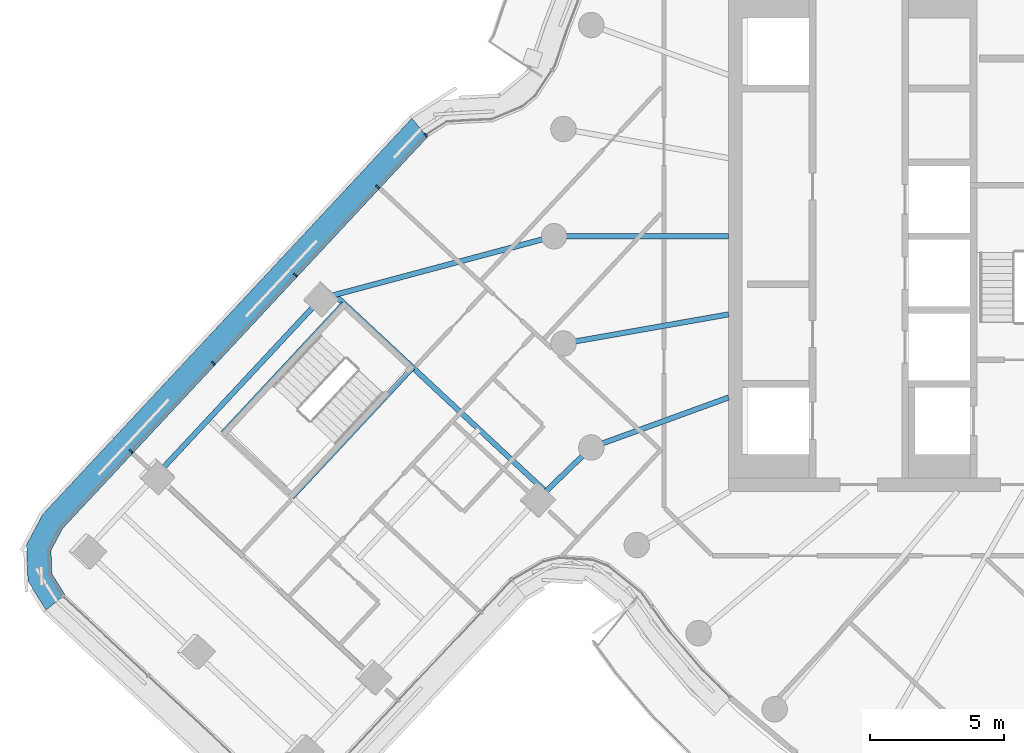
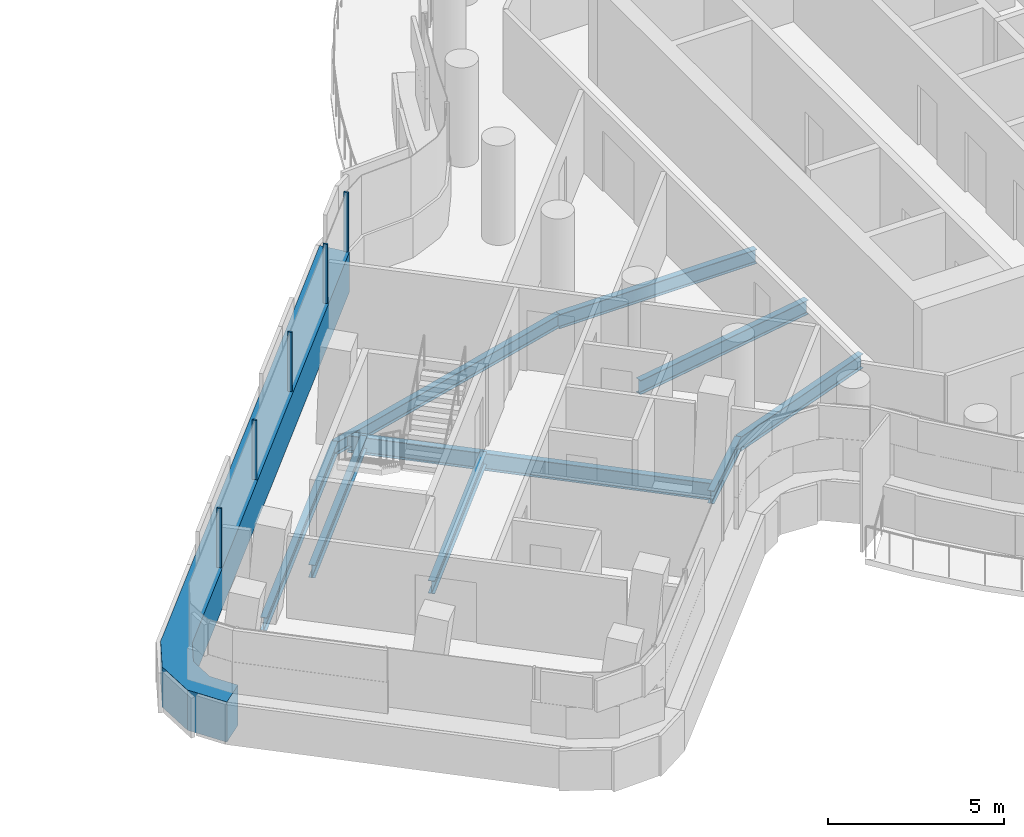
# One storey, part 7 of 30: 9 beams, 6 members, 1 element without a shape of its own.
"""IFC4 building model written with IfcOpenShell, lengths in metres."""

import ifcopenshell
import ifcopenshell.guid

model = None  # the IFC model being written
_history = None  # IfcOwnerHistory: only IFC2X3 demands one
_inside = {}  # id of a spatial element -> (the spatial element, [elements in it])
_under = {}  # id of a project, library or spatial element -> (it, [spatial elements below it])
_declared = {}  # id of a project -> (the project, [libraries it declares])
_typed = {}  # id of a type object -> (the type object, [elements of that type])
_made_of = {}  # id of a material, layer set ... -> (it, [elements and type objects made of it])


def new_model(schema):
    """Start an empty IFC model of exactly this schema.

    Asked for "IFC4X3", IfcOpenShell would pick the latest addendum, in which some entities
    have other attributes; the version numbers below select the first issue.
    IFC2X3 requires an IfcOwnerHistory on every rooted entity: one is made here for all.
    """
    global model, _history
    if schema == "IFC4X3":
        model = ifcopenshell.file(schema_version=(4, 3, 0, 0))
    else:
        model = ifcopenshell.file(schema=schema)
    _inside.clear()
    _under.clear()
    _declared.clear()
    _typed.clear()
    _made_of.clear()
    _history = None
    if model.schema == "IFC2X3":
        org = make("IfcOrganization", Name="unknown")
        user = make(
            "IfcPersonAndOrganization",
            ThePerson=make("IfcPerson", FamilyName="unknown"),
            TheOrganization=org,
        )
        app = make(
            "IfcApplication",
            ApplicationDeveloper=org,
            Version="unknown",
            ApplicationFullName="unknown",
            ApplicationIdentifier="unknown",
        )
        _history = make(
            "IfcOwnerHistory",
            OwningUser=user,
            OwningApplication=app,
            ChangeAction="ADDED",
            CreationDate=0,
        )
    return model


def make(cls, **values):
    """One entity of the class cls with the attributes given. An attribute that is None is left unset."""
    return model.create_entity(
        cls, **{name: value for name, value in values.items() if value is not None}
    )


def rooted(cls, **values):
    """An entity with a GlobalId (a new one), such as an element, a storey or a relation."""
    return make(cls, GlobalId=ifcopenshell.guid.new(), OwnerHistory=_history, **values)


def si_unit(unit_type, name, prefix=None):
    """IfcSIUnit, for example si_unit("LENGTHUNIT", "METRE", prefix="MILLI")."""
    return make("IfcSIUnit", UnitType=unit_type, Prefix=prefix, Name=name)


def assignment(units):
    """IfcUnitAssignment: the units of a project."""
    return None if units is None else make("IfcUnitAssignment", Units=units)


def point(xyz):
    """IfcCartesianPoint."""
    return None if xyz is None else make("IfcCartesianPoint", Coordinates=xyz)


def direction(xyz):
    """IfcDirection."""
    return None if xyz is None else make("IfcDirection", DirectionRatios=xyz)


def frame(location, z_axis=None, x_axis=None):
    """IfcAxis2Placement3D, a coordinate frame: its origin and axes. An axis left out is left unset."""
    return make(
        "IfcAxis2Placement3D",
        Location=point(location),
        Axis=direction(z_axis),
        RefDirection=direction(x_axis),
    )


def frame_2d(location, x_axis=None):
    """IfcAxis2Placement2D, a coordinate frame in the plane: its origin and x axis."""
    return make(
        "IfcAxis2Placement2D", Location=point(location), RefDirection=direction(x_axis)
    )


def origin():
    """The frame at (0, 0, 0) with its axes left unset."""
    return frame((0.0, 0.0, 0.0))


def origin_2d():
    """The frame at (0, 0) in the plane with its x axis left unset."""
    return frame_2d((0.0, 0.0))


def place(relative_to, where):
    """IfcLocalPlacement: puts the frame where relative to a parent placement (None: the world)."""
    return make(
        "IfcLocalPlacement", PlacementRelTo=relative_to, RelativePlacement=where
    )


def context(
    kind, dimensions, precision=None, world=None, true_north=None, identifier=None
):
    """IfcGeometricRepresentationContext, for example the 3D "Model" context."""
    return make(
        "IfcGeometricRepresentationContext",
        ContextIdentifier=identifier,
        ContextType=kind,
        CoordinateSpaceDimension=dimensions,
        Precision=precision,
        WorldCoordinateSystem=world,
        TrueNorth=true_north,
    )


def subcontext(parent, identifier, kind, view, scale=None):
    """IfcGeometricRepresentationSubContext, for example "Body" below "Model"."""
    return make(
        "IfcGeometricRepresentationSubContext",
        ContextIdentifier=identifier,
        ContextType=kind,
        ParentContext=parent,
        TargetScale=scale,
        TargetView=view,
    )


def project(units=None, contexts=None):
    """IfcProject with its units and contexts."""
    return rooted(
        "IfcProject",
        Name="project",
        RepresentationContexts=contexts,
        UnitsInContext=assignment(units),
    )


def spatial(cls, under=None, at=None, **own):
    """A site, building, storey or space (cls), placed at a placement, below another one or the project."""
    s = rooted(cls, ObjectPlacement=at, **own)
    if under is not None:
        _under.setdefault(under.id(), (under, []))[1].append(s)
    return s


def polyline(points):
    """IfcPolyline through the points."""
    return make("IfcPolyline", Points=[point(p) for p in points])


def profile(cls, at=None, kind="AREA", **sizes):
    """A parametric profile (cls). Its sizes go by their IFC names, for example OverallWidth=200.0."""
    return make(cls, ProfileType=kind, Position=at, **sizes)


def rectangle(**sizes):
    """IfcRectangleProfileDef."""
    return profile("IfcRectangleProfileDef", **sizes)


def i_section(**sizes):
    """IfcIShapeProfileDef."""
    return profile("IfcIShapeProfileDef", **sizes)


def outline(outer, holes=None, kind="AREA"):
    """IfcArbitraryClosedProfileDef: a profile drawn as a closed curve; with holes, ...WithVoids."""
    if holes is None:
        return make("IfcArbitraryClosedProfileDef", ProfileType=kind, OuterCurve=outer)
    return make(
        "IfcArbitraryProfileDefWithVoids",
        ProfileType=kind,
        OuterCurve=outer,
        InnerCurves=holes,
    )


def extrude(swept, where, along, depth):
    """IfcExtrudedAreaSolid: the profile swept, set in the frame where, extruded along a direction by depth."""
    return make(
        "IfcExtrudedAreaSolid",
        SweptArea=swept,
        Position=where,
        ExtrudedDirection=direction(along),
        Depth=depth,
    )


def shape(context_of_items, identifier, shape_type, items):
    """IfcShapeRepresentation: the items that make up one representation, for example the "Body"."""
    return make(
        "IfcShapeRepresentation",
        ContextOfItems=context_of_items,
        RepresentationIdentifier=identifier,
        RepresentationType=shape_type,
        Items=items,
    )


def material(Name=None, Category=None):
    """IfcMaterial."""
    return make("IfcMaterial", Name=Name, Category=Category)


def layer(
    of_material, thickness, ventilated=None, Name=None, Category=None, Priority=None
):
    """IfcMaterialLayer: one layer of a wall or slab, of a material (None: an air gap)."""
    return make(
        "IfcMaterialLayer",
        Material=of_material,
        LayerThickness=thickness,
        IsVentilated=ventilated,
        Name=Name,
        Category=Category,
        Priority=Priority,
    )


def layer_set(layers, Name=None):
    """IfcMaterialLayerSet."""
    return make("IfcMaterialLayerSet", MaterialLayers=layers, LayerSetName=Name)


def material_profile(
    of_material, cross_section, Name=None, Category=None, Priority=None
):
    """IfcMaterialProfile: a cross section and its material."""
    return make(
        "IfcMaterialProfile",
        Name=Name,
        Material=of_material,
        Profile=cross_section,
        Priority=Priority,
        Category=Category,
    )


def profile_set(profiles, Name=None, composite=None):
    """IfcMaterialProfileSet."""
    return make(
        "IfcMaterialProfileSet",
        Name=Name,
        MaterialProfiles=profiles,
        CompositeProfile=composite,
    )


def made_of(thing, what):
    """Note that an element or type object is made of a material, layer set ...; save() writes the relation."""
    if what is not None:
        _made_of.setdefault(what.id(), (what, []))[1].append(thing)
    return thing


def type_object(cls, material=None, **own):
    """A type object (cls), such as IfcWallType, which elements share."""
    return made_of(rooted(cls, **own), material)


def element(
    cls,
    number,
    at=None,
    inside=None,
    cuts=None,
    type_object=None,
    material=None,
    context=None,
    identifier="Body",
    shape_type=None,
    held_by="IfcProductDefinitionShape",
    body=None,
    shapes=None,
    **own,
):
    """One element of the class cls, such as IfcWall. Its Tag is "e" and its number.

    at: its placement. inside: the storey or other place that contains it. cuts: it is an
    opening in that element (IfcRelVoidsElement). A single representation is given by context,
    identifier, shape_type and body (its items); several are given by shapes. held_by: the class
    of the entity that holds the representations. save() writes the other relations.
    """
    e = rooted(cls, Tag="e%d" % number, ObjectPlacement=at, **own)
    if body is not None:
        shapes = [shape(context, identifier, shape_type, body)]
    if shapes is not None:
        e.Representation = make(held_by, Representations=shapes)
    if inside is not None:
        _inside.setdefault(inside.id(), (inside, []))[1].append(e)
    if cuts is not None:
        rooted(
            "IfcRelVoidsElement", RelatingBuildingElement=cuts, RelatedOpeningElement=e
        )
    if type_object is not None:
        _typed.setdefault(type_object.id(), (type_object, []))[1].append(e)
    return made_of(e, material)


def aggregate(whole, parts):
    """IfcRelAggregates: a whole, such as a stair, and the parts it consists of."""
    return rooted("IfcRelAggregates", RelatingObject=whole, RelatedObjects=parts)


def save(model, path):
    """Write the relations noted so far, then the file.

    IfcRelAggregates (storeys below a building ...), IfcRelContainedInSpatialStructure (elements
    in a storey), IfcRelDefinesByType, IfcRelAssociatesMaterial and IfcRelDeclares: one each for
    every whole, place, type object, material and project.
    """
    for whole, parts in _under.values():
        aggregate(whole, parts)
    for where, things in _inside.values():
        rooted(
            "IfcRelContainedInSpatialStructure",
            RelatedElements=things,
            RelatingStructure=where,
        )
    for kind, things in _typed.values():
        rooted("IfcRelDefinesByType", RelatedObjects=things, RelatingType=kind)
    for what, things in _made_of.values():
        rooted("IfcRelAssociatesMaterial", RelatedObjects=things, RelatingMaterial=what)
    for by, libraries in _declared.values():
        rooted("IfcRelDeclares", RelatingContext=by, RelatedDefinitions=libraries)
    model.write(path)


model = new_model("IFC4")

# Units and contexts
model_context = context("Model", 3, precision=1e-05, world=origin(), true_north=direction((0.0, 1.0)))
body_context = subcontext(model_context, "Body", "Model", "MODEL_VIEW")
ifc_project = project(units=[si_unit("LENGTHUNIT", "METRE"), si_unit("AREAUNIT", "SQUARE_METRE"), si_unit("VOLUMEUNIT", "CUBIC_METRE"), si_unit("PLANEANGLEUNIT", "RADIAN"), si_unit("MASSUNIT", "GRAM", prefix="KILO")], contexts=[model_context])

# Site, building, storey
site_placement = place(None, origin())
site = spatial("IfcSite", under=ifc_project, at=site_placement, CompositionType="ELEMENT")
building_placement = place(site_placement, origin())
building = spatial("IfcBuilding", under=site, at=building_placement, Name="Tamarind Cross Interchange Tower", CompositionType="ELEMENT")
storey_placement = place(building_placement, frame((0.0, 0.0, 204.10009765625)))
storey = spatial("IfcBuildingStorey", under=building, at=storey_placement, Name="L51", CompositionType="ELEMENT", Elevation=204.10009765625)

# Beams
ifc_material_1 = material(Name="Steel Q355B", Category="steel")
ifc_material_profile_1 = material_profile(ifc_material_1, i_section(OverallWidth=0.198974609375, OverallDepth=0.446044921875, WebThickness=0.008056640625, FlangeThickness=0.011962890625, FilletRadius=0.012939453125, at=origin_2d()), Name="HN 446x199x8x12")
ifc_profile_set_1 = profile_set([ifc_material_profile_1], Name="Steel Q355B")
beam_type_1 = type_object("IfcBeamType", Name="Composite beam HN 446x199x8x12 Q355B", PredefinedType="BEAM", material=ifc_profile_set_1)
beam_1_placement = place(storey_placement, frame((-37.818603515625, -8.90576171875, -0.363037109375), z_axis=(0.681807763144, 0.7315313897, 0.0), x_axis=(-0.7315313897, 0.681807763144, 0.0)))
element("IfcBeam", 1, at=beam_1_placement, inside=storey, type_object=beam_type_1, Name="Beam W-edgeem6", PredefinedType="BEAM", context=body_context, shape_type="SweptSolid", body=[
    extrude(i_section(OverallWidth=0.198974609375, OverallDepth=0.446044921875, WebThickness=0.008056640625, FlangeThickness=0.011962890625, FilletRadius=0.012939453125, at=origin_2d()), origin(), (0.0, 0.0, 1.0), 9.0),
])
beam_2_placement = place(storey_placement, frame((-31.682373046875, -2.322021484375, -0.363037109375), z_axis=(0.966048481349, 0.258360855555, 0.0), x_axis=(-0.258360855555, 0.966048481349, 0.0)))
element("IfcBeam", 2, at=beam_2_placement, inside=storey, type_object=beam_type_1, Name="Beam W-linkem", PredefinedType="BEAM", context=body_context, shape_type="SweptSolid", body=[
    extrude(i_section(OverallWidth=0.198974609375, OverallDepth=0.446044921875, WebThickness=0.008056640625, FlangeThickness=0.011962890625, FilletRadius=0.012939453125, at=origin_2d()), origin(), (0.0, 0.0, 1.0), 8.987548828125),
])
beam_3_placement = place(storey_placement, frame((-23.635498046875, -9.82177734375, -0.363037109375), z_axis=(0.718939223492, 0.695072940723, 0.0), x_axis=(-0.695072940723, 0.718939223492, 0.0)))
element("IfcBeam", 3, at=beam_3_placement, inside=storey, type_object=beam_type_1, Name="Beam W-linkep", PredefinedType="BEAM", context=body_context, shape_type="SweptSolid", body=[
    extrude(i_section(OverallWidth=0.198974609375, OverallDepth=0.446044921875, WebThickness=0.008056640625, FlangeThickness=0.011962890625, FilletRadius=0.012939453125, at=origin_2d()), origin(), (0.0, 0.0, 1.0), 2.813232421875),
])
for number, where, z_axis, x_axis, name in (
    (4, (-30.826904296875, -2.504150390625, -0.363037109375), (-0.681792195605, -0.731545898773, 0.0), (0.731545898773, -0.681792195605, 0.0), "Beam W-tr0"),
    (5, (-28.2666015625, -4.890380859375, -0.363037109375), (-0.681792195605, -0.731545898773, 0.0), (0.731545898773, -0.681792195605, 0.0), "Beam W-tr1"),
):
    element("IfcBeam", number, at=place(storey_placement, frame(where, z_axis=z_axis, x_axis=x_axis)), inside=storey, type_object=beam_type_1, Name=name, PredefinedType="BEAM", context=body_context, shape_type="SweptSolid", body=[
        extrude(i_section(OverallWidth=0.198974609375, OverallDepth=0.446044921875, WebThickness=0.008056640625, FlangeThickness=0.011962890625, FilletRadius=0.012939453125, at=origin_2d()), origin(), (0.0, 0.0, 1.0), 6.599853515625),
    ])
ifc_material_profile_2 = material_profile(ifc_material_1, i_section(OverallWidth=0.198974609375, OverallDepth=0.49609375, WebThickness=0.009033203125, FlangeThickness=0.013916015625, FilletRadius=0.012939453125, at=origin_2d()), Name="HN 496x199x9x14")
ifc_profile_set_2 = profile_set([ifc_material_profile_2], Name="Steel Q355B")
beam_type_2 = type_object("IfcBeamType", Name="Composite beam HN 496x199x9x14 Q355B", PredefinedType="BEAM", material=ifc_profile_set_2)
beam_4_placement = place(storey_placement, frame((-23.0, 0.0, -0.38818359375), z_axis=(1.0, 0.0, 0.0), x_axis=(0.0, 1.0, 0.0)))
element("IfcBeam", 6, at=beam_4_placement, inside=storey, type_object=beam_type_2, Name="Beam HH18", PredefinedType="BEAM", context=body_context, shape_type="SweptSolid", body=[
    extrude(i_section(OverallWidth=0.198974609375, OverallDepth=0.49609375, WebThickness=0.009033203125, FlangeThickness=0.013916015625, FilletRadius=0.012939453125, at=origin_2d()), origin(), (0.0, 0.0, 1.0), 6.5),
])
beam_5_placement = place(storey_placement, frame((-22.650634765625, -3.993896484375, -0.38818359375), z_axis=(0.984809127561, 0.173640382036, 0.0), x_axis=(-0.173640382036, 0.984809127561, 0.0)))
element("IfcBeam", 7, at=beam_5_placement, inside=storey, type_object=beam_type_2, Name="Beam HH19", PredefinedType="BEAM", context=body_context, shape_type="SweptSolid", body=[
    extrude(i_section(OverallWidth=0.198974609375, OverallDepth=0.49609375, WebThickness=0.009033203125, FlangeThickness=0.013916015625, FilletRadius=0.012939453125, at=origin_2d()), origin(), (0.0, 0.0, 1.0), 6.24560546875),
])
beam_6_placement = place(storey_placement, frame((-21.613037109375, -7.866455078125, -0.38818359375), z_axis=(0.939701685589, 0.341995236956, 0.0), x_axis=(-0.341995236956, 0.939701685589, 0.0)))
element("IfcBeam", 8, at=beam_6_placement, inside=storey, type_object=beam_type_2, Name="Beam HH20", PredefinedType="BEAM", context=body_context, shape_type="SweptSolid", body=[
    extrude(i_section(OverallWidth=0.198974609375, OverallDepth=0.49609375, WebThickness=0.009033203125, FlangeThickness=0.013916015625, FilletRadius=0.012939453125, at=origin_2d()), origin(), (0.0, 0.0, 1.0), 5.441162109375),
])
ifc_material_profile_3 = material_profile(ifc_material_1, i_section(OverallWidth=0.198974609375, OverallDepth=0.595947265625, WebThickness=0.010009765625, FlangeThickness=0.014892578125, FilletRadius=0.012939453125, at=origin_2d()), Name="HN 596x199x10x15")
ifc_profile_set_3 = profile_set([ifc_material_profile_3], Name="Steel Q355B")
beam_type_3 = type_object("IfcBeamType", Name="Composite beam HN 596x199x10x15 Q355B", PredefinedType="BEAM", material=ifc_profile_set_3)
beam_7_placement = place(storey_placement, frame((-31.16943359375, -2.184814453125, -0.43798828125), z_axis=(0.731534272579, -0.681804670006, 0.0), x_axis=(0.681804670006, 0.731534272579, 0.0)))
element("IfcBeam", 9, at=beam_7_placement, inside=storey, type_object=beam_type_3, Name="Beam W-x298", PredefinedType="BEAM", context=body_context, shape_type="SweptSolid", body=[
    extrude(i_section(OverallWidth=0.198974609375, OverallDepth=0.595947265625, WebThickness=0.010009765625, FlangeThickness=0.014892578125, FilletRadius=0.012939453125, at=origin_2d()), origin(), (0.0, 0.0, 1.0), 10.74169921875),
])

# Curtain wall, members
ifc_material_2 = material(Name="Aluminium 6063-T6", Category="aluminium")
ifc_layer = layer(ifc_material_2, 0.139892578125)
ifc_layer_set = layer_set([ifc_layer], Name="Aluminium 6063-T6")
curtain_wall_type = type_object("IfcCurtainWallType", Name="Hotel curtain wall, 4.5 m bays", PredefinedType="NOTDEFINED", material=ifc_layer_set)
curtain_wall_placement = place(storey_placement, origin())
curtain_wall = element("IfcCurtainWall", 10, at=curtain_wall_placement, inside=storey, type_object=curtain_wall_type, Name="CWS-L51-11", PredefinedType="NOTDEFINED")
ifc_material_3 = material(Name="Aluminium and insulated spandrel panel", Category="aluminium")
member_type_1 = type_object("IfcMemberType", Name="Floor-edge blade transom", PredefinedType="USERDEFINED", material=ifc_material_3)
member_1_placement = place(storey_placement, origin())
member_1 = element("IfcMember", 11, at=member_1_placement, type_object=member_type_1, Name="CWT-L51-11", ObjectType="TRANSOM", PredefinedType="USERDEFINED", context=body_context, shape_type="SweptSolid", body=[
    extrude(outline(polyline([(-27.71630859375, 3.693603515625), (-41.306396484375, -10.88818359375), (-41.73583984375, -11.696533203125), (-41.705078125, -12.570556640625), (-41.219970703125, -13.3466796875), (-41.920166015625, -13.92431640625), (-42.59619140625, -12.84326171875), (-42.643798828125, -11.4873046875), (-42.045654296875, -10.361328125), (-28.296630859375, 4.39111328125), (-27.71630859375, 3.693603515625)])), origin(), (0.0, 0.0, 1.0), 1.39990234375),
])
ifc_material_profile_4 = material_profile(ifc_material_2, rectangle(XDim=0.06005859375, YDim=0.139892578125, at=origin_2d()), Name="Mullion CW2")
ifc_profile_set_4 = profile_set([ifc_material_profile_4], Name="Aluminium 6063-T6")
member_type_2 = type_object("IfcMemberType", Name="Mullion CW2", PredefinedType="MULLION", material=ifc_profile_set_4)
member_2_placement = place(storey_placement, frame((-27.78076171875, 3.77099609375, 1.39990234375), z_axis=(0.0, 0.0, 1.0), x_axis=(-0.768801594677, -0.639487379095, 0.0)))
member_2 = element("IfcMember", 12, at=member_2_placement, type_object=member_type_2, Name="CWM-L51-11-00", PredefinedType="MULLION", context=body_context, shape_type="SweptSolid", body=[
    extrude(rectangle(XDim=0.06005859375, YDim=0.139892578125, at=origin_2d()), origin(), (0.0, 0.0, 1.0), 2.06005859375),
])
member_3_placement = place(storey_placement, frame((-29.577880859375, 1.8427734375, 1.39990234375), z_axis=(0.0, 0.0, 1.0), x_axis=(-0.681794100992, -0.73154412297, 0.0)))
member_3 = element("IfcMember", 13, at=member_3_placement, type_object=member_type_2, Name="CWM-L51-11-01", PredefinedType="MULLION", context=body_context, shape_type="SweptSolid", body=[
    extrude(rectangle(XDim=0.06005859375, YDim=0.139892578125, at=origin_2d()), origin(), (0.0, 0.0, 1.0), 2.06005859375),
])
member_4_placement = place(storey_placement, frame((-32.63818359375, -1.440673828125, 1.39990234375), z_axis=(0.0, 0.0, 1.0), x_axis=(-0.681794100992, -0.73154412297, 0.0)))
member_4 = element("IfcMember", 14, at=member_4_placement, type_object=member_type_2, Name="CWM-L51-11-02", PredefinedType="MULLION", context=body_context, shape_type="SweptSolid", body=[
    extrude(rectangle(XDim=0.06005859375, YDim=0.139892578125, at=origin_2d()), origin(), (0.0, 0.0, 1.0), 2.06005859375),
])
member_5_placement = place(storey_placement, frame((-35.6982421875, -4.72412109375, 1.39990234375), z_axis=(0.0, 0.0, 1.0), x_axis=(-0.681794100992, -0.73154412297, 0.0)))
member_5 = element("IfcMember", 15, at=member_5_placement, type_object=member_type_2, Name="CWM-L51-11-03", PredefinedType="MULLION", context=body_context, shape_type="SweptSolid", body=[
    extrude(rectangle(XDim=0.06005859375, YDim=0.139892578125, at=origin_2d()), origin(), (0.0, 0.0, 1.0), 2.06005859375),
])
member_6_placement = place(storey_placement, frame((-38.758544921875, -8.007568359375, 1.39990234375), z_axis=(0.0, 0.0, 1.0), x_axis=(-0.681794100992, -0.73154412297, 0.0)))
member_6 = element("IfcMember", 16, at=member_6_placement, type_object=member_type_2, Name="CWM-L51-11-04", PredefinedType="MULLION", context=body_context, shape_type="SweptSolid", body=[
    extrude(rectangle(XDim=0.06005859375, YDim=0.139892578125, at=origin_2d()), origin(), (0.0, 0.0, 1.0), 2.06005859375),
])
aggregate(curtain_wall, [member_2, member_3, member_4, member_5, member_6, member_1])

save(model, "model.ifc")
